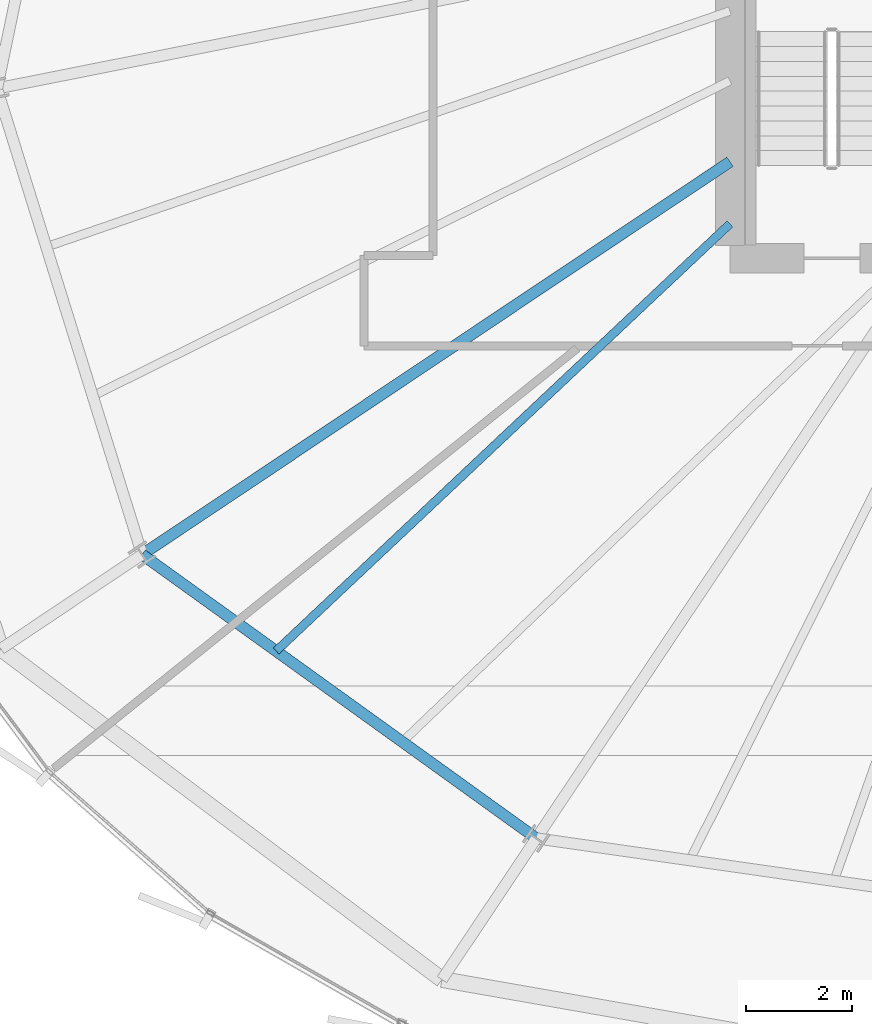
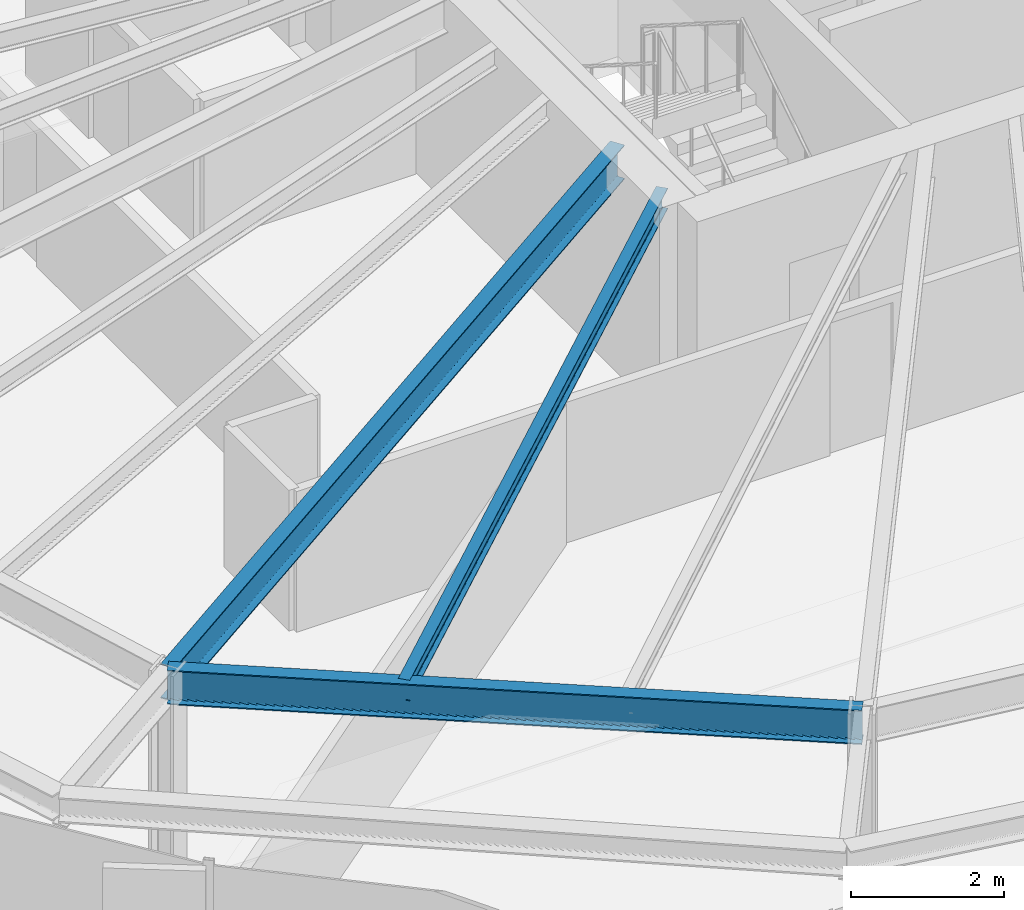
# One storey, part 4 of 32: 3 beams.
"""IFC4 building model written with IfcOpenShell, lengths in metres."""

from ifc_helpers import new_model, si_unit, direction, frame, origin, origin_2d, place, context, subcontext, project, spatial, i_section, extrude, source, transform, mapped, material, material_profile, profile_set, type_object, element, save


model = new_model("IFC4")

# Units and contexts
model_context = context("Model", 3, precision=1e-05, world=origin(), true_north=direction((0.0, 1.0)))
body_context = subcontext(model_context, "Body", "Model", "MODEL_VIEW")
ifc_project = project(units=[si_unit("LENGTHUNIT", "METRE"), si_unit("AREAUNIT", "SQUARE_METRE"), si_unit("VOLUMEUNIT", "CUBIC_METRE"), si_unit("PLANEANGLEUNIT", "RADIAN"), si_unit("MASSUNIT", "GRAM", prefix="KILO"), si_unit("THERMODYNAMICTEMPERATUREUNIT", "KELVIN")], contexts=[model_context])

# Site, building, storey
site_placement = place(None, origin())
site = spatial("IfcSite", under=ifc_project, at=site_placement, CompositionType="ELEMENT")
building_placement = place(site_placement, origin())
building = spatial("IfcBuilding", under=site, at=building_placement, Name="Kethvar Cultural Tower", CompositionType="ELEMENT")
storey_placement = place(building_placement, frame((0.0, 0.0, 157.199951171875)))
storey = spatial("IfcBuildingStorey", under=building, at=storey_placement, Name="L40", CompositionType="ELEMENT", Elevation=157.199951171875)

# Beams
ifc_material = material(Name="Steel S355J2", Category="steel")
ifc_material_profile_1 = material_profile(ifc_material, i_section(OverallWidth=0.2099609375, OverallDepth=0.550048828125, WebThickness=0.010986328125, FlangeThickness=0.01708984375, FilletRadius=0.02392578125, at=origin_2d()), Name="Steel S355J2 — IPE550")
ifc_profile_set_1 = profile_set([ifc_material_profile_1], Name="Steel S355J2 — IPE550")
beam_type_1 = type_object("IfcBeamType", Name="BM-IPE550", PredefinedType="BEAM", material=ifc_profile_set_1)
shared_shape_1 = source(origin(), body_context, "Body", "SweptSolid", [
    extrude(i_section(OverallWidth=0.2099609375, OverallDepth=0.550048828125, WebThickness=0.010986328125, FlangeThickness=0.01708984375, FilletRadius=0.02392578125, at=origin_2d()), origin(), (0.0, 0.0, 1.0), 13.324951171875),
])
beam_1_placement = place(storey_placement, frame((38.0, 21.919921875, 3.02294921875), z_axis=(-0.831474815475, -0.555562445843, 0.0), x_axis=(0.555562445843, -0.831474815475, 0.0)))
element("IfcBeam", 1, at=beam_1_placement, inside=storey, type_object=beam_type_1, Name="L40 Primary Radial Beam RB-10", PredefinedType="BEAM", context=body_context, shape_type="MappedRepresentation", body=[
    mapped(shared_shape_1, transform((0.0, 0.0, 0.0), scale=1.0)),
])
shared_shape_2 = source(origin(), body_context, "Body", "SweptSolid", [
    extrude(i_section(OverallWidth=0.2099609375, OverallDepth=0.550048828125, WebThickness=0.010986328125, FlangeThickness=0.01708984375, FilletRadius=0.02392578125, at=origin_2d()), origin(), (0.0, 0.0, 1.0), 9.155029296875),
])
beam_2_placement = place(storey_placement, frame((26.920654296875, 14.51708984375, 3.02294921875), z_axis=(0.811590987974, -0.584226042076, 0.0), x_axis=(0.584226042076, 0.811590987974, 0.0)))
element("IfcBeam", 2, at=beam_2_placement, inside=storey, type_object=beam_type_1, Name="L40 Column Ring Tie Beam CR-10", PredefinedType="BEAM", context=body_context, shape_type="MappedRepresentation", body=[
    mapped(shared_shape_2, transform((0.0, 0.0, 0.0), scale=1.0)),
])
ifc_material_profile_2 = material_profile(ifc_material, i_section(OverallWidth=0.159912109375, OverallDepth=0.330078125, WebThickness=0.007568359375, FlangeThickness=0.011474609375, FilletRadius=0.01806640625, at=origin_2d()), Name="Steel S355J2 — IPE330")
ifc_profile_set_2 = profile_set([ifc_material_profile_2], Name="Steel S355J2 — IPE330")
beam_type_2 = type_object("IfcBeamType", Name="BM-J330", PredefinedType="JOIST", material=ifc_profile_set_2)
shared_shape_3 = source(origin(), body_context, "Body", "SweptSolid", [
    extrude(i_section(OverallWidth=0.159912109375, OverallDepth=0.330078125, WebThickness=0.007568359375, FlangeThickness=0.011474609375, FilletRadius=0.01806640625, at=origin_2d()), origin(), (0.0, 0.0, 1.0), 11.74658203125),
])
beam_3_placement = place(storey_placement, frame((38.0, 20.75, 3.133056640625), z_axis=(-0.728129818661, -0.685439251266, 0.0), x_axis=(0.685439251266, -0.728129818661, 0.0)))
element("IfcBeam", 3, at=beam_3_placement, inside=storey, type_object=beam_type_2, Name="L40 Composite Floor Joist J-10A", PredefinedType="JOIST", context=body_context, shape_type="MappedRepresentation", body=[
    mapped(shared_shape_3, transform((0.0, 0.0, 0.0), scale=1.0)),
])

save(model, "model.ifc")
